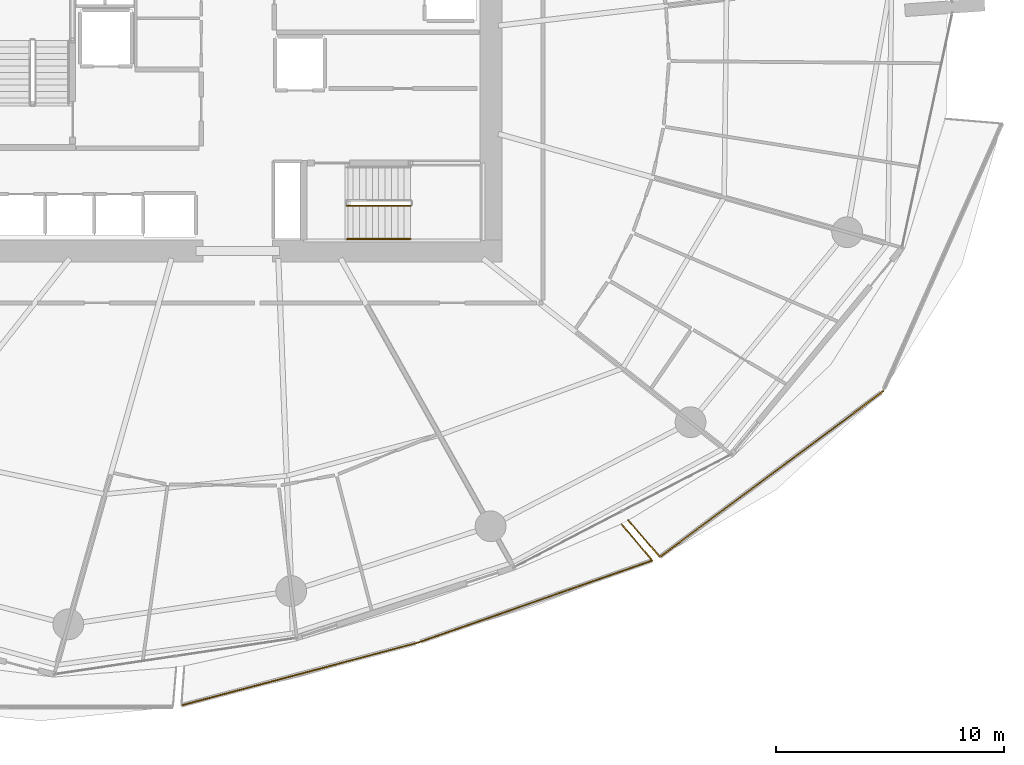
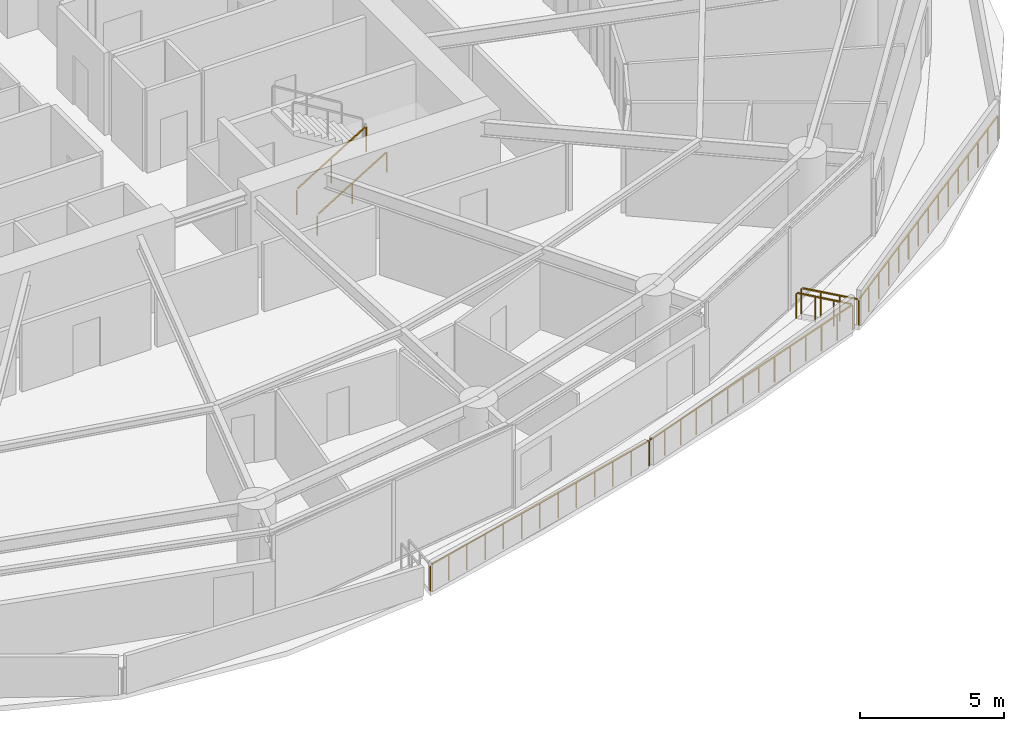
# One storey, part 27 of 31: 7 railings.
"""IFC4 building model written with IfcOpenShell, lengths in metres."""

from ifc_helpers import new_model, si_unit, direction, frame, origin, origin_2d, place, context, subcontext, project, spatial, rectangle, extrude, material, type_object, element, save


model = new_model("IFC4")

# Units and contexts
model_context = context("Model", 3, precision=1e-05, world=origin(), true_north=direction((0.0, 1.0)))
body_context = subcontext(model_context, "Body", "Model", "MODEL_VIEW")
ifc_project = project(units=[si_unit("LENGTHUNIT", "METRE"), si_unit("AREAUNIT", "SQUARE_METRE"), si_unit("VOLUMEUNIT", "CUBIC_METRE"), si_unit("PLANEANGLEUNIT", "RADIAN"), si_unit("MASSUNIT", "GRAM", prefix="KILO")], contexts=[model_context])

# Site, building, storey
site_placement = place(None, origin())
site = spatial("IfcSite", under=ifc_project, at=site_placement, CompositionType="ELEMENT")
building_placement = place(site_placement, origin())
building = spatial("IfcBuilding", under=site, at=building_placement, Name="Kazma Halo Residences", CompositionType="ELEMENT")
storey_placement = place(building_placement, frame((0.0, 0.0, 60.14990234375)))
storey = spatial("IfcBuildingStorey", under=building, at=storey_placement, Name="L14", CompositionType="ELEMENT", Elevation=60.14990234375)

# Railings
ifc_material_1 = material(Name="Aluminium AW-6063 T6 Brushed Cap Rail", Category="aluminium")
railing_type_1 = type_object("IfcRailingType", Name="RLG-BAL-CAP-1120", PredefinedType="BALUSTRADE", material=ifc_material_1)
railing_1_placement = place(storey_placement, frame((45.93896484375, 13.593505859375, 0.0)))
element("IfcRailing", 1, at=railing_1_placement, inside=storey, type_object=railing_type_1, Name="L14 SSE wave balcony guard 2", PredefinedType="BALUSTRADE", context=body_context, shape_type="SweptSolid", body=[
    extrude(rectangle(XDim=0.050048828125, YDim=0.050048828125, at=origin_2d()), frame((0.041015625, 0.010986328125, 1.09521484375), z_axis=(0.96658520926, 0.256345534853, 0.0), x_axis=(-0.256345534853, 0.96658520926, 0.0)), (0.0, 0.0, 1.0), 10.669189453125),
    extrude(rectangle(XDim=0.0400390625, YDim=0.0400390625, at=origin_2d()), origin(), (0.0, 0.0, 1.0), 1.05810546875),
    extrude(rectangle(XDim=0.0400390625, YDim=0.0400390625, at=origin_2d()), frame((0.8662109375, 0.229736328125, 0.0)), (0.0, 0.0, 1.0), 1.05810546875),
    extrude(rectangle(XDim=0.0400390625, YDim=0.0400390625, at=origin_2d()), frame((1.732421875, 0.45947265625, 0.0)), (0.0, 0.0, 1.0), 1.05810546875),
    extrude(rectangle(XDim=0.0400390625, YDim=0.0400390625, at=origin_2d()), frame((2.5986328125, 0.689208984375, 0.0)), (0.0, 0.0, 1.0), 1.05810546875),
    extrude(rectangle(XDim=0.0400390625, YDim=0.0400390625, at=origin_2d()), frame((3.465087890625, 0.9189453125, 0.0)), (0.0, 0.0, 1.0), 1.05810546875),
    extrude(rectangle(XDim=0.0400390625, YDim=0.0400390625, at=origin_2d()), frame((4.331298828125, 1.148681640625, 0.0)), (0.0, 0.0, 1.0), 1.05810546875),
    extrude(rectangle(XDim=0.0400390625, YDim=0.0400390625, at=origin_2d()), frame((5.197509765625, 1.37841796875, 0.0)), (0.0, 0.0, 1.0), 1.05810546875),
    extrude(rectangle(XDim=0.0400390625, YDim=0.0400390625, at=origin_2d()), frame((6.063720703125, 1.608154296875, 0.0)), (0.0, 0.0, 1.0), 1.05810546875),
    extrude(rectangle(XDim=0.0400390625, YDim=0.0400390625, at=origin_2d()), frame((6.929931640625, 1.837890625, 0.0)), (0.0, 0.0, 1.0), 1.05810546875),
    extrude(rectangle(XDim=0.0400390625, YDim=0.0400390625, at=origin_2d()), frame((7.79638671875, 2.067626953125, 0.0)), (0.0, 0.0, 1.0), 1.05810546875),
    extrude(rectangle(XDim=0.0400390625, YDim=0.0400390625, at=origin_2d()), frame((8.66259765625, 2.29736328125, 0.0)), (0.0, 0.0, 1.0), 1.05810546875),
    extrude(rectangle(XDim=0.0400390625, YDim=0.0400390625, at=origin_2d()), frame((9.52880859375, 2.527099609375, 0.0)), (0.0, 0.0, 1.0), 1.05810546875),
    extrude(rectangle(XDim=0.0400390625, YDim=0.0400390625, at=origin_2d()), frame((10.39501953125, 2.7568359375, 0.0)), (0.0, 0.0, 1.0), 1.05810546875),
])
railing_2_placement = place(storey_placement, frame((56.333984375, 16.350341796875, 0.0)))
element("IfcRailing", 2, at=railing_2_placement, inside=storey, type_object=railing_type_1, Name="L14 SSE wave balcony guard 3", PredefinedType="BALUSTRADE", context=body_context, shape_type="SweptSolid", body=[
    extrude(rectangle(XDim=0.050048828125, YDim=0.050048828125, at=origin_2d()), frame((0.0400390625, 0.01416015625, 1.09521484375), z_axis=(0.94363281915, 0.330994112672, 0.0), x_axis=(-0.330994112672, 0.94363281915, 0.0)), (0.0, 0.0, 1.0), 10.793701171875),
    extrude(rectangle(XDim=0.0400390625, YDim=0.0400390625, at=origin_2d()), origin(), (0.0, 0.0, 1.0), 1.05810546875),
    extrude(rectangle(XDim=0.0400390625, YDim=0.0400390625, at=origin_2d()), frame((0.78955078125, 0.277099609375, 0.0)), (0.0, 0.0, 1.0), 1.05810546875),
    extrude(rectangle(XDim=0.0400390625, YDim=0.0400390625, at=origin_2d()), frame((1.579345703125, 0.553955078125, 0.0)), (0.0, 0.0, 1.0), 1.05810546875),
    extrude(rectangle(XDim=0.0400390625, YDim=0.0400390625, at=origin_2d()), frame((2.368896484375, 0.8310546875, 0.0)), (0.0, 0.0, 1.0), 1.05810546875),
    extrude(rectangle(XDim=0.0400390625, YDim=0.0400390625, at=origin_2d()), frame((3.15869140625, 1.10791015625, 0.0)), (0.0, 0.0, 1.0), 1.05810546875),
    extrude(rectangle(XDim=0.0400390625, YDim=0.0400390625, at=origin_2d()), frame((3.9482421875, 1.385009765625, 0.0)), (0.0, 0.0, 1.0), 1.05810546875),
    extrude(rectangle(XDim=0.0400390625, YDim=0.0400390625, at=origin_2d()), frame((4.738037109375, 1.661865234375, 0.0)), (0.0, 0.0, 1.0), 1.05810546875),
    extrude(rectangle(XDim=0.0400390625, YDim=0.0400390625, at=origin_2d()), frame((5.527587890625, 1.93896484375, 0.0)), (0.0, 0.0, 1.0), 1.05810546875),
    extrude(rectangle(XDim=0.0400390625, YDim=0.0400390625, at=origin_2d()), frame((6.3173828125, 2.2158203125, 0.0)), (0.0, 0.0, 1.0), 1.05810546875),
    extrude(rectangle(XDim=0.0400390625, YDim=0.0400390625, at=origin_2d()), frame((7.10693359375, 2.492919921875, 0.0)), (0.0, 0.0, 1.0), 1.05810546875),
    extrude(rectangle(XDim=0.0400390625, YDim=0.0400390625, at=origin_2d()), frame((7.896728515625, 2.769775390625, 0.0)), (0.0, 0.0, 1.0), 1.05810546875),
    extrude(rectangle(XDim=0.0400390625, YDim=0.0400390625, at=origin_2d()), frame((8.686279296875, 3.046875, 0.0)), (0.0, 0.0, 1.0), 1.05810546875),
    extrude(rectangle(XDim=0.0400390625, YDim=0.0400390625, at=origin_2d()), frame((9.47607421875, 3.32373046875, 0.0)), (0.0, 0.0, 1.0), 1.05810546875),
    extrude(rectangle(XDim=0.0400390625, YDim=0.0400390625, at=origin_2d()), frame((10.265625, 3.600830078125, 0.0)), (0.0, 0.0, 1.0), 1.05810546875),
])
railing_3_placement = place(storey_placement, frame((66.599609375, 19.951171875, 0.0)))
element("IfcRailing", 3, at=railing_3_placement, inside=storey, type_object=railing_type_1, Name="L14 SSE wave balcony guard 4", PredefinedType="BALUSTRADE", context=body_context, shape_type="SweptSolid", body=[
    extrude(rectangle(XDim=0.050048828125, YDim=0.050048828125, at=origin_2d()), frame((-0.02734375, 0.032470703125, 1.09521484375), z_axis=(-0.644756106084, 0.764388359191, 0.0), x_axis=(-0.764388359191, -0.644756106084, 0.0)), (0.0, 0.0, 1.0), 2.0107421875),
    extrude(rectangle(XDim=0.0400390625, YDim=0.0400390625, at=origin_2d()), origin(), (0.0, 0.0, 1.0), 1.05810546875),
    extrude(rectangle(XDim=0.0400390625, YDim=0.0400390625, at=origin_2d()), frame((-0.450439453125, 0.533935546875, 0.0)), (0.0, 0.0, 1.0), 1.05810546875),
    extrude(rectangle(XDim=0.0400390625, YDim=0.0400390625, at=origin_2d()), frame((-0.90087890625, 1.068115234375, 0.0)), (0.0, 0.0, 1.0), 1.05810546875),
    extrude(rectangle(XDim=0.0400390625, YDim=0.0400390625, at=origin_2d()), frame((-1.351318359375, 1.60205078125, 0.0)), (0.0, 0.0, 1.0), 1.05810546875),
])
railing_4_placement = place(storey_placement, frame((65.546142578125, 21.70849609375, 0.0)))
element("IfcRailing", 4, at=railing_4_placement, inside=storey, type_object=railing_type_1, Name="L14 SE wave balcony guard 1", PredefinedType="BALUSTRADE", context=body_context, shape_type="SweptSolid", body=[
    extrude(rectangle(XDim=0.050048828125, YDim=0.050048828125, at=origin_2d()), frame((0.02783203125, -0.0322265625, 1.09521484375), z_axis=(0.654075382173, -0.756429371743, 0.0), x_axis=(0.756429371743, 0.654075382173, 0.0)), (0.0, 0.0, 1.0), 2.035400390625),
    extrude(rectangle(XDim=0.0400390625, YDim=0.0400390625, at=origin_2d()), origin(), (0.0, 0.0, 1.0), 1.05810546875),
    extrude(rectangle(XDim=0.0400390625, YDim=0.0400390625, at=origin_2d()), frame((0.46240234375, -0.53466796875, 0.0)), (0.0, 0.0, 1.0), 1.05810546875),
    extrude(rectangle(XDim=0.0400390625, YDim=0.0400390625, at=origin_2d()), frame((0.924560546875, -1.0693359375, 0.0)), (0.0, 0.0, 1.0), 1.05810546875),
    extrude(rectangle(XDim=0.0400390625, YDim=0.0400390625, at=origin_2d()), frame((1.386962890625, -1.60400390625, 0.0)), (0.0, 0.0, 1.0), 1.05810546875),
])
railing_5_placement = place(storey_placement, frame((66.93310546875, 20.1044921875, 0.0)))
element("IfcRailing", 5, at=railing_5_placement, inside=storey, type_object=railing_type_1, Name="L14 SE wave balcony guard 2", PredefinedType="BALUSTRADE", context=body_context, shape_type="SweptSolid", body=[
    extrude(rectangle(XDim=0.050048828125, YDim=0.050048828125, at=origin_2d()), frame((0.0341796875, 0.025390625, 1.09521484375), z_axis=(0.802949864107, 0.596046571779, 0.0), x_axis=(-0.596046571779, 0.802949864107, 0.0)), (0.0, 0.0, 1.0), 12.1005859375),
    extrude(rectangle(XDim=0.0400390625, YDim=0.0400390625, at=origin_2d()), origin(), (0.0, 0.0, 1.0), 1.05810546875),
    extrude(rectangle(XDim=0.0400390625, YDim=0.0400390625, at=origin_2d()), frame((0.698974609375, 0.518798828125, 0.0)), (0.0, 0.0, 1.0), 1.05810546875),
    extrude(rectangle(XDim=0.0400390625, YDim=0.0400390625, at=origin_2d()), frame((1.397705078125, 1.03759765625, 0.0)), (0.0, 0.0, 1.0), 1.05810546875),
    extrude(rectangle(XDim=0.0400390625, YDim=0.0400390625, at=origin_2d()), frame((2.0966796875, 1.556396484375, 0.0)), (0.0, 0.0, 1.0), 1.05810546875),
    extrude(rectangle(XDim=0.0400390625, YDim=0.0400390625, at=origin_2d()), frame((2.795654296875, 2.0751953125, 0.0)), (0.0, 0.0, 1.0), 1.05810546875),
    extrude(rectangle(XDim=0.0400390625, YDim=0.0400390625, at=origin_2d()), frame((3.494384765625, 2.593994140625, 0.0)), (0.0, 0.0, 1.0), 1.05810546875),
    extrude(rectangle(XDim=0.0400390625, YDim=0.0400390625, at=origin_2d()), frame((4.193359375, 3.11279296875, 0.0)), (0.0, 0.0, 1.0), 1.05810546875),
    extrude(rectangle(XDim=0.0400390625, YDim=0.0400390625, at=origin_2d()), frame((4.89208984375, 3.631591796875, 0.0)), (0.0, 0.0, 1.0), 1.05810546875),
    extrude(rectangle(XDim=0.0400390625, YDim=0.0400390625, at=origin_2d()), frame((5.591064453125, 4.150390625, 0.0)), (0.0, 0.0, 1.0), 1.05810546875),
    extrude(rectangle(XDim=0.0400390625, YDim=0.0400390625, at=origin_2d()), frame((6.2900390625, 4.669189453125, 0.0)), (0.0, 0.0, 1.0), 1.05810546875),
    extrude(rectangle(XDim=0.0400390625, YDim=0.0400390625, at=origin_2d()), frame((6.98876953125, 5.18798828125, 0.0)), (0.0, 0.0, 1.0), 1.05810546875),
    extrude(rectangle(XDim=0.0400390625, YDim=0.0400390625, at=origin_2d()), frame((7.687744140625, 5.706787109375, 0.0)), (0.0, 0.0, 1.0), 1.05810546875),
    extrude(rectangle(XDim=0.0400390625, YDim=0.0400390625, at=origin_2d()), frame((8.38671875, 6.2255859375, 0.0)), (0.0, 0.0, 1.0), 1.05810546875),
    extrude(rectangle(XDim=0.0400390625, YDim=0.0400390625, at=origin_2d()), frame((9.08544921875, 6.744384765625, 0.0)), (0.0, 0.0, 1.0), 1.05810546875),
    extrude(rectangle(XDim=0.0400390625, YDim=0.0400390625, at=origin_2d()), frame((9.784423828125, 7.26318359375, 0.0)), (0.0, 0.0, 1.0), 1.05810546875),
])
ifc_material_2 = material(Name="Painted Steel S355", Category="steel")
railing_type_2 = type_object("IfcRailingType", Name="RLG-STAIR-GRD-1100", PredefinedType="GUARDRAIL", material=ifc_material_2)
railing_6_placement = place(storey_placement, frame((53.199951171875, 35.5, 0.170654296875)))
element("IfcRailing", 6, at=railing_6_placement, inside=storey, type_object=railing_type_2, Name="L14 ST-03 stair guard 1", PredefinedType="GUARDRAIL", context=body_context, shape_type="SweptSolid", body=[
    extrude(rectangle(XDim=0.050048828125, YDim=0.050048828125, at=origin_2d()), frame((0.036376953125, 0.0, 1.09716796875), z_axis=(0.854202870247, 0.0, 0.519939858505), x_axis=(0.0, 1.0, 0.0)), (0.0, 0.0, 1.0), 3.19287109375),
    extrude(rectangle(XDim=0.0400390625, YDim=0.0400390625, at=origin_2d()), origin(), (0.0, 0.0, 1.0), 1.0380859375),
    extrude(rectangle(XDim=0.0400390625, YDim=0.0400390625, at=origin_2d()), frame((1.39990234375, 0.0, 0.85205078125)), (0.0, 0.0, 1.0), 1.0380859375),
    extrude(rectangle(XDim=0.0400390625, YDim=0.0400390625, at=origin_2d()), frame((2.800048828125, 0.0, 1.704345703125)), (0.0, 0.0, 1.0), 1.0380859375),
])
ifc_material_3 = material(Name="Brushed Stainless Steel", Category="steel")
railing_type_3 = type_object("IfcRailingType", Name="RLG-STAIR-HND-900", PredefinedType="HANDRAIL", material=ifc_material_3)
railing_7_placement = place(storey_placement, frame((53.199951171875, 34.050048828125, 0.170654296875)))
element("IfcRailing", 7, at=railing_7_placement, inside=storey, type_object=railing_type_3, Name="L14 ST-03 stair handrail 1", PredefinedType="HANDRAIL", context=body_context, shape_type="SweptSolid", body=[
    extrude(rectangle(XDim=0.050048828125, YDim=0.050048828125, at=origin_2d()), frame((0.036376953125, 0.0, 0.89697265625), z_axis=(0.854202870247, 0.0, 0.519939858505), x_axis=(0.0, 1.0, 0.0)), (0.0, 0.0, 1.0), 3.19287109375),
    extrude(rectangle(XDim=0.0400390625, YDim=0.0400390625, at=origin_2d()), origin(), (0.0, 0.0, 1.0), 0.837890625),
    extrude(rectangle(XDim=0.0400390625, YDim=0.0400390625, at=origin_2d()), frame((1.39990234375, 0.0, 0.85205078125)), (0.0, 0.0, 1.0), 0.837890625),
    extrude(rectangle(XDim=0.0400390625, YDim=0.0400390625, at=origin_2d()), frame((2.800048828125, 0.0, 1.704345703125)), (0.0, 0.0, 1.0), 0.837890625),
])

save(model, "model.ifc")
